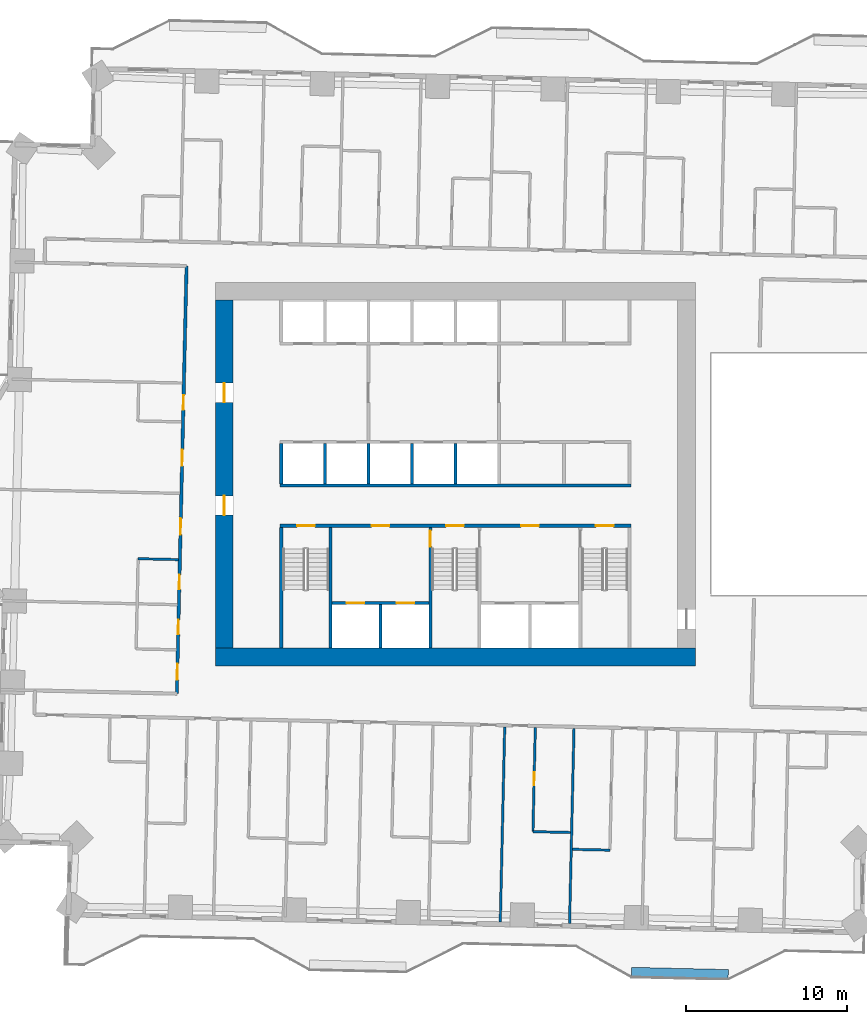
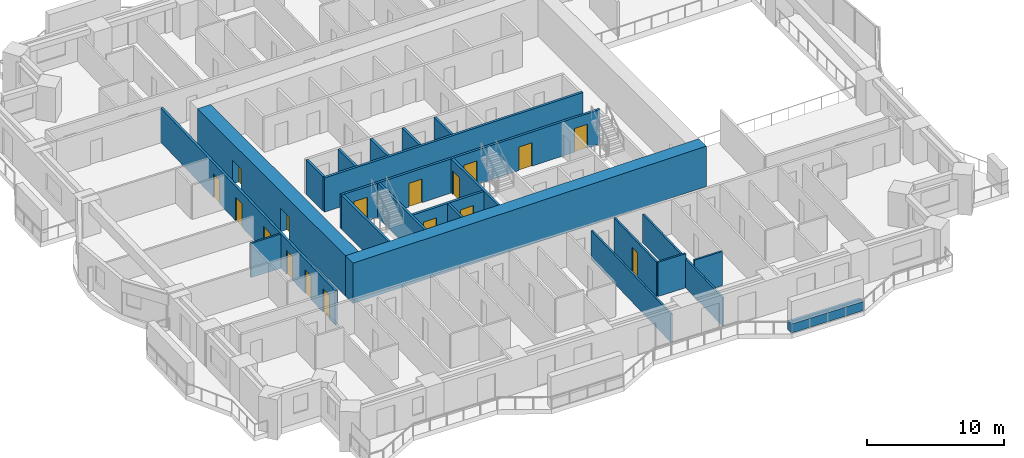
# One storey, part 8 of 18: 22 walls, 17 doors, 17 openings.
"""IFC4 building model written with IfcOpenShell, lengths in metres."""

from ifc_helpers import new_model, si_unit, direction, frame, frame_2d, origin, place, context, subcontext, project, spatial, rectangle, extrude, material, layer, layer_set, type_object, element, fill, save


model = new_model("IFC4")

# Units and contexts
model_context = context("Model", 3, precision=1e-05, world=origin(), true_north=direction((0.0, 1.0)))
body_context = subcontext(model_context, "Body", "Model", "MODEL_VIEW")
ifc_project = project(units=[si_unit("LENGTHUNIT", "METRE"), si_unit("AREAUNIT", "SQUARE_METRE"), si_unit("VOLUMEUNIT", "CUBIC_METRE"), si_unit("PLANEANGLEUNIT", "RADIAN"), si_unit("MASSUNIT", "GRAM", prefix="KILO")], contexts=[model_context])

# Site, building, storey
site_placement = place(None, origin())
site = spatial("IfcSite", under=ifc_project, at=site_placement, CompositionType="ELEMENT")
building_placement = place(site_placement, origin())
building = spatial("IfcBuilding", under=site, at=building_placement, Name="Mangrove Gate Tower", CompositionType="ELEMENT")
storey_placement = place(building_placement, frame((0.0, 0.0, 56.699951171875)))
storey = spatial("IfcBuildingStorey", under=building, at=storey_placement, Name="L13", CompositionType="ELEMENT", Elevation=56.699951171875)

# Wall
ifc_material_1 = material(Name="Concrete C70/85", Category="concrete")
ifc_layer_1 = layer(ifc_material_1, 0.199951171875)
ifc_layer_set_1 = layer_set([ifc_layer_1], Name="Core shaft wall 200 C70/85")
wall_type_1 = type_object("IfcWallType", Name="Core shaft wall 200 C70/85", PredefinedType="SHEAR", material=ifc_layer_set_1)
wall_1_placement = place(storey_placement, frame((-10.89990234375, -0.699951171875, 0.0), z_axis=(0.0, 0.0, 1.0), x_axis=(1.0, 0.0, 0.0)))
element("IfcWall", 1, at=wall_1_placement, inside=storey, type_object=wall_type_1, Name="WALL-L13-CORE-6", PredefinedType="SHEAR", context=body_context, shape_type="SweptSolid", body=[
    extrude(rectangle(XDim=21.7998046875, YDim=0.199951171875, at=frame_2d((10.89990234375, 0.0))), origin(), (0.0, 0.0, 1.0), 3.050048828125),
])

# Wall, openings, doors
wall_2_placement = place(storey_placement, frame((-7.64990234375, -8.0, 0.0), z_axis=(0.0, 0.0, 1.0), x_axis=(1.0, 0.0, 0.0)))
wall_2 = element("IfcWall", 2, at=wall_2_placement, inside=storey, type_object=wall_type_1, Name="WALL-L13-CORE-15", PredefinedType="SHEAR", context=body_context, shape_type="SweptSolid", body=[
    extrude(rectangle(XDim=6.0, YDim=0.199951171875, at=frame_2d((3.0, 0.0))), origin(), (0.0, 0.0, 1.0), 3.050048828125),
])
opening_1_placement = place(wall_2_placement, frame((0.89990234375, 0.0, 0.0)))
opening_1 = element("IfcOpeningElement", 3, at=opening_1_placement, cuts=wall_2, Name="Opening LD", PredefinedType="OPENING", context=body_context, shape_type="SweptSolid", body=[
    extrude(rectangle(XDim=1.10009765625, YDim=2.10009765625, at=frame_2d((0.550048828125, 1.050048828125))), frame((0.0, 0.10986328125, 0.0), z_axis=(0.0, -1.0, 0.0), x_axis=(1.0, 0.0, 0.0)), (0.0, 0.0, 1.0), 0.219970703125),
])
opening_2_placement = place(wall_2_placement, frame((4.0, 0.0, 0.0)))
opening_2 = element("IfcOpeningElement", 4, at=opening_2_placement, cuts=wall_2, Name="Opening LD", PredefinedType="OPENING", context=body_context, shape_type="SweptSolid", body=[
    extrude(rectangle(XDim=1.10009765625, YDim=2.10009765625, at=frame_2d((0.550048828125, 1.050048828125))), frame((0.0, 0.10986328125, 0.0), z_axis=(0.0, -1.0, 0.0), x_axis=(1.0, 0.0, 0.0)), (0.0, 0.0, 1.0), 0.219970703125),
])
ifc_material_2 = material(Name="Stainless steel 316", Category="steel")
door_type_1 = type_object("IfcDoorType", Name="Lift landing door 1100x2100", OperationType="SLIDING_TO_LEFT", PredefinedType="DOOR", material=ifc_material_2)
door_1_placement = place(opening_1_placement, origin())
door_1 = element("IfcDoor", 5, at=door_1_placement, inside=storey, type_object=door_type_1, Name="Landing door LD SVL1", OperationType="SLIDING_TO_LEFT", OverallHeight=2.10009765625, OverallWidth=1.10009765625, PredefinedType="DOOR", context=body_context, shape_type="SweptSolid", body=[
    extrude(rectangle(XDim=1.10009765625, YDim=2.10009765625, at=frame_2d((0.550048828125, 1.050048828125))), frame((0.0, 0.02490234375, 0.0), z_axis=(0.0, -1.0, 0.0), x_axis=(1.0, 0.0, 0.0)), (0.0, 0.0, 1.0), 0.050048828125),
])
fill(opening_1, door_1)
door_2_placement = place(opening_2_placement, origin())
door_2 = element("IfcDoor", 6, at=door_2_placement, inside=storey, type_object=door_type_1, Name="Landing door LD SVL2", OperationType="SLIDING_TO_LEFT", OverallHeight=2.10009765625, OverallWidth=1.10009765625, PredefinedType="DOOR", context=body_context, shape_type="SweptSolid", body=[
    extrude(rectangle(XDim=1.10009765625, YDim=2.10009765625, at=frame_2d((0.550048828125, 1.050048828125))), frame((0.0, 0.02490234375, 0.0), z_axis=(0.0, -1.0, 0.0), x_axis=(1.0, 0.0, 0.0)), (0.0, 0.0, 1.0), 0.050048828125),
])
fill(opening_2, door_2)

# Walls
wall_3_placement = place(storey_placement, frame((-4.64990234375, -10.800048828125, 0.0), z_axis=(0.0, 0.0, 1.0), x_axis=(0.0, 1.0, 0.0)))
element("IfcWall", 7, at=wall_3_placement, inside=storey, type_object=wall_type_1, Name="WALL-L13-CORE-16", PredefinedType="SHEAR", context=body_context, shape_type="SweptSolid", body=[
    extrude(rectangle(XDim=2.699951171875, YDim=0.199951171875, at=frame_2d((1.35009765625, 0.0))), origin(), (0.0, 0.0, 1.0), 3.050048828125),
])
for number, where, z_axis, x_axis, name in (
    (8, (-10.800048828125, -0.60009765625, 0.0), (0.0, 0.0, 1.0), (0.0, 1.0, 0.0), "WALL-L13-CORE-19"),
    (9, (-8.10009765625, -0.60009765625, 0.0), (0.0, 0.0, 1.0), (0.0, 1.0, 0.0), "WALL-L13-CORE-20"),
    (10, (-5.39990234375, -0.60009765625, 0.0), (0.0, 0.0, 1.0), (0.0, 1.0, 0.0), "WALL-L13-CORE-21"),
    (11, (-2.699951171875, -0.60009765625, 0.0), (0.0, 0.0, 1.0), (0.0, 1.0, 0.0), "WALL-L13-CORE-22"),
    (12, (0.0, -0.60009765625, 0.0), (0.0, 0.0, 1.0), (0.0, 1.0, 0.0), "WALL-L13-CORE-23"),
):
    element("IfcWall", number, at=place(storey_placement, frame(where, z_axis=z_axis, x_axis=x_axis)), inside=storey, type_object=wall_type_1, Name=name, PredefinedType="SHEAR", context=body_context, shape_type="SweptSolid", body=[
        extrude(rectangle(XDim=2.5, YDim=0.199951171875, at=frame_2d((1.25, 0.0))), origin(), (0.0, 0.0, 1.0), 3.050048828125),
    ])

# Wall, openings, doors
ifc_material_3 = material(Name="Concrete C70/85", Category="concrete")
ifc_layer_2 = layer(ifc_material_3, 0.199951171875)
ifc_layer_set_2 = layer_set([ifc_layer_2], Name="Core stair wall 200 C70/85")
wall_type_2 = type_object("IfcWallType", Name="Core stair wall 200 C70/85", PredefinedType="SHEAR", material=ifc_layer_set_2)
wall_4_placement = place(storey_placement, frame((-10.89990234375, -3.199951171875, 0.0), z_axis=(0.0, 0.0, 1.0), x_axis=(1.0, 0.0, 0.0)))
wall_4 = element("IfcWall", 13, at=wall_4_placement, inside=storey, type_object=wall_type_2, Name="WALL-L13-CORE-5", PredefinedType="SHEAR", context=body_context, shape_type="SweptSolid", body=[
    extrude(rectangle(XDim=21.7998046875, YDim=0.199951171875, at=frame_2d((10.89990234375, 0.0))), origin(), (0.0, 0.0, 1.0), 3.050048828125),
])
opening_3_placement = place(wall_4_placement, frame((1.074951171875, 0.0, 0.0)))
opening_3 = element("IfcOpeningElement", 14, at=opening_3_placement, cuts=wall_4, Name="Opening STD11", PredefinedType="OPENING", context=body_context, shape_type="SweptSolid", body=[
    extrude(rectangle(XDim=1.10009765625, YDim=2.10009765625, at=frame_2d((0.550048828125, 1.050048828125))), frame((0.0, 0.10986328125, 0.0), z_axis=(0.0, -1.0, 0.0), x_axis=(1.0, 0.0, 0.0)), (0.0, 0.0, 1.0), 0.219970703125),
])
opening_4_placement = place(wall_4_placement, frame((10.324951171875, 0.0, 0.0)))
opening_4 = element("IfcOpeningElement", 15, at=opening_4_placement, cuts=wall_4, Name="Opening STD11", PredefinedType="OPENING", context=body_context, shape_type="SweptSolid", body=[
    extrude(rectangle(XDim=1.10009765625, YDim=2.10009765625, at=frame_2d((0.550048828125, 1.050048828125))), frame((0.0, 0.10986328125, 0.0), z_axis=(0.0, -1.0, 0.0), x_axis=(1.0, 0.0, 0.0)), (0.0, 0.0, 1.0), 0.219970703125),
])
opening_5_placement = place(wall_4_placement, frame((19.625, 0.0, 0.0)))
opening_5 = element("IfcOpeningElement", 16, at=opening_5_placement, cuts=wall_4, Name="Opening STD11", PredefinedType="OPENING", context=body_context, shape_type="SweptSolid", body=[
    extrude(rectangle(XDim=1.10009765625, YDim=2.10009765625, at=frame_2d((0.550048828125, 1.050048828125))), frame((0.0, 0.10986328125, 0.0), z_axis=(0.0, -1.0, 0.0), x_axis=(1.0, 0.0, 0.0)), (0.0, 0.0, 1.0), 0.219970703125),
])
opening_6_placement = place(wall_4_placement, frame((5.699951171875, 0.0, 0.0)))
opening_6 = element("IfcOpeningElement", 17, at=opening_6_placement, cuts=wall_4, Name="Opening FL", PredefinedType="OPENING", context=body_context, shape_type="SweptSolid", body=[
    extrude(rectangle(XDim=1.10009765625, YDim=2.10009765625, at=frame_2d((0.550048828125, 1.050048828125))), frame((0.0, 0.10986328125, 0.0), z_axis=(0.0, -1.0, 0.0), x_axis=(1.0, 0.0, 0.0)), (0.0, 0.0, 1.0), 0.219970703125),
])
opening_7_placement = place(wall_4_placement, frame((14.97509765625, 0.0, 0.0)))
opening_7 = element("IfcOpeningElement", 18, at=opening_7_placement, cuts=wall_4, Name="Opening FL", PredefinedType="OPENING", context=body_context, shape_type="SweptSolid", body=[
    extrude(rectangle(XDim=1.10009765625, YDim=2.10009765625, at=frame_2d((0.550048828125, 1.050048828125))), frame((0.0, 0.10986328125, 0.0), z_axis=(0.0, -1.0, 0.0), x_axis=(1.0, 0.0, 0.0)), (0.0, 0.0, 1.0), 0.219970703125),
])
ifc_material_4 = material(Name="Fire-rated steel door set", Category="steel")
door_type_2 = type_object("IfcDoorType", Name="Lobby door FD60 1100x2100", OperationType="SINGLE_SWING_LEFT", PredefinedType="DOOR", material=ifc_material_4)
door_3_placement = place(opening_6_placement, origin())
door_3 = element("IfcDoor", 19, at=door_3_placement, inside=storey, type_object=door_type_2, Name="Lobby door service lobby", OperationType="SINGLE_SWING_LEFT", OverallHeight=2.10009765625, OverallWidth=1.10009765625, PredefinedType="DOOR", context=body_context, shape_type="SweptSolid", body=[
    extrude(rectangle(XDim=1.10009765625, YDim=2.10009765625, at=frame_2d((0.550048828125, 1.050048828125))), frame((0.0, 0.02490234375, 0.0), z_axis=(0.0, -1.0, 0.0), x_axis=(1.0, 0.0, 0.0)), (0.0, 0.0, 1.0), 0.050048828125),
])
fill(opening_6, door_3)
door_4_placement = place(opening_7_placement, origin())
door_4 = element("IfcDoor", 20, at=door_4_placement, inside=storey, type_object=door_type_2, Name="Lobby door fire-fighting lobby", OperationType="SINGLE_SWING_LEFT", OverallHeight=2.10009765625, OverallWidth=1.10009765625, PredefinedType="DOOR", context=body_context, shape_type="SweptSolid", body=[
    extrude(rectangle(XDim=1.10009765625, YDim=2.10009765625, at=frame_2d((0.550048828125, 1.050048828125))), frame((0.0, 0.02490234375, 0.0), z_axis=(0.0, -1.0, 0.0), x_axis=(1.0, 0.0, 0.0)), (0.0, 0.0, 1.0), 0.050048828125),
])
fill(opening_7, door_4)
ifc_material_5 = material(Name="Fire-rated steel door set", Category="steel")
door_type_3 = type_object("IfcDoorType", Name="Stair door FD60 1100x2100", OperationType="SINGLE_SWING_RIGHT", PredefinedType="DOOR", material=ifc_material_5)
door_5_placement = place(opening_3_placement, origin())
door_5 = element("IfcDoor", 21, at=door_5_placement, inside=storey, type_object=door_type_3, Name="Stair door Stair 1", OperationType="SINGLE_SWING_RIGHT", OverallHeight=2.10009765625, OverallWidth=1.10009765625, PredefinedType="DOOR", context=body_context, shape_type="SweptSolid", body=[
    extrude(rectangle(XDim=1.10009765625, YDim=2.10009765625, at=frame_2d((0.550048828125, 1.050048828125))), frame((0.0, 0.02490234375, 0.0), z_axis=(0.0, -1.0, 0.0), x_axis=(1.0, 0.0, 0.0)), (0.0, 0.0, 1.0), 0.050048828125),
])
fill(opening_3, door_5)
door_6_placement = place(opening_4_placement, origin())
door_6 = element("IfcDoor", 22, at=door_6_placement, inside=storey, type_object=door_type_3, Name="Stair door Stair 2", OperationType="SINGLE_SWING_RIGHT", OverallHeight=2.10009765625, OverallWidth=1.10009765625, PredefinedType="DOOR", context=body_context, shape_type="SweptSolid", body=[
    extrude(rectangle(XDim=1.10009765625, YDim=2.10009765625, at=frame_2d((0.550048828125, 1.050048828125))), frame((0.0, 0.02490234375, 0.0), z_axis=(0.0, -1.0, 0.0), x_axis=(1.0, 0.0, 0.0)), (0.0, 0.0, 1.0), 0.050048828125),
])
fill(opening_4, door_6)
door_7_placement = place(opening_5_placement, origin())
door_7 = element("IfcDoor", 23, at=door_7_placement, inside=storey, type_object=door_type_3, Name="Stair door Stair 3", OperationType="SINGLE_SWING_RIGHT", OverallHeight=2.10009765625, OverallWidth=1.10009765625, PredefinedType="DOOR", context=body_context, shape_type="SweptSolid", body=[
    extrude(rectangle(XDim=1.10009765625, YDim=2.10009765625, at=frame_2d((0.550048828125, 1.050048828125))), frame((0.0, 0.02490234375, 0.0), z_axis=(0.0, -1.0, 0.0), x_axis=(1.0, 0.0, 0.0)), (0.0, 0.0, 1.0), 0.050048828125),
])
fill(opening_5, door_7)

# Walls
for number, where, z_axis, x_axis, name in (
    (24, (-10.800048828125, -10.800048828125, 0.0), (0.0, 0.0, 1.0), (0.0, 1.0, 0.0), "WALL-L13-CORE-9"),
    (25, (-7.75, -10.800048828125, 0.0), (0.0, 0.0, 1.0), (0.0, 1.0, 0.0), "WALL-L13-CORE-10"),
):
    element("IfcWall", number, at=place(storey_placement, frame(where, z_axis=z_axis, x_axis=x_axis)), inside=storey, type_object=wall_type_2, Name=name, PredefinedType="SHEAR", context=body_context, shape_type="SweptSolid", body=[
        extrude(rectangle(XDim=7.5, YDim=0.199951171875, at=frame_2d((3.75, 0.0))), origin(), (0.0, 0.0, 1.0), 3.050048828125),
    ])

# Wall, opening, door
wall_5_placement = place(storey_placement, frame((-1.550048828125, -10.800048828125, 0.0), z_axis=(0.0, 0.0, 1.0), x_axis=(0.0, 1.0, 0.0)))
wall_5 = element("IfcWall", 26, at=wall_5_placement, inside=storey, type_object=wall_type_2, Name="WALL-L13-CORE-11", PredefinedType="SHEAR", context=body_context, shape_type="SweptSolid", body=[
    extrude(rectangle(XDim=7.5, YDim=0.199951171875, at=frame_2d((3.75, 0.0))), origin(), (0.0, 0.0, 1.0), 3.050048828125),
])
opening_8_placement = place(wall_5_placement, frame((6.300048828125, 0.0, 0.0)))
opening_8 = element("IfcOpeningElement", 27, at=opening_8_placement, cuts=wall_5, Name="Opening STD10", PredefinedType="OPENING", context=body_context, shape_type="SweptSolid", body=[
    extrude(rectangle(XDim=1.0, YDim=2.10009765625, at=frame_2d((0.5, 1.050048828125))), frame((0.0, 0.10986328125, 0.0), z_axis=(0.0, -1.0, 0.0), x_axis=(1.0, 0.0, 0.0)), (0.0, 0.0, 1.0), 0.219970703125),
])
ifc_material_6 = material(Name="Fire-rated steel door set", Category="steel")
door_type_4 = type_object("IfcDoorType", Name="Stair door FD60 1000x2100", OperationType="SINGLE_SWING_RIGHT", PredefinedType="DOOR", material=ifc_material_6)
door_8_placement = place(opening_8_placement, origin())
door_8 = element("IfcDoor", 28, at=door_8_placement, inside=storey, type_object=door_type_4, Name="Stair door Stair 2 from service lobby", OperationType="SINGLE_SWING_RIGHT", OverallHeight=2.10009765625, OverallWidth=1.0, PredefinedType="DOOR", context=body_context, shape_type="SweptSolid", body=[
    extrude(rectangle(XDim=1.0, YDim=2.10009765625, at=frame_2d((0.5, 1.050048828125))), frame((0.0, 0.02490234375, 0.0), z_axis=(0.0, -1.0, 0.0), x_axis=(1.0, 0.0, 0.0)), (0.0, 0.0, 1.0), 0.050048828125),
])
fill(opening_8, door_8)

# Wall
ifc_material_7 = material(Name="Concrete C70/85", Category="concrete")
ifc_layer_3 = layer(ifc_material_7, 1.10009765625)
ifc_layer_set_3 = layer_set([ifc_layer_3], Name="Core wall 1100 C70/85")
wall_type_3 = type_object("IfcWallType", Name="Core wall 1100 C70/85", PredefinedType="SHEAR", material=ifc_layer_set_3)
wall_6_placement = place(storey_placement, frame((-14.89990234375, -11.35009765625, 0.0), z_axis=(0.0, 0.0, 1.0), x_axis=(1.0, 0.0, 0.0)))
element("IfcWall", 29, at=wall_6_placement, inside=storey, type_object=wall_type_3, Name="WALL-L13-CORE-1", PredefinedType="SHEAR", context=body_context, shape_type="SweptSolid", body=[
    extrude(rectangle(XDim=29.7998046875, YDim=1.10009765625, at=frame_2d((14.89990234375, 0.0))), origin(), (0.0, 0.0, 1.0), 3.60009765625),
])

# Wall, openings, doors
wall_7_placement = place(storey_placement, frame((-14.35009765625, -10.800048828125, 0.0), z_axis=(0.0, 0.0, 1.0), x_axis=(0.0, 1.0, 0.0)))
wall_7 = element("IfcWall", 30, at=wall_7_placement, inside=storey, type_object=wall_type_3, Name="WALL-L13-CORE-3", PredefinedType="SHEAR", context=body_context, shape_type="SweptSolid", body=[
    extrude(rectangle(XDim=21.60009765625, YDim=1.10009765625, at=frame_2d((10.800048828125, 0.0))), origin(), (0.0, 0.0, 1.0), 3.60009765625),
])
opening_9_placement = place(wall_7_placement, frame((8.25, 0.0, 0.0)))
opening_9 = element("IfcOpeningElement", 31, at=opening_9_placement, cuts=wall_7, Name="Opening CD", PredefinedType="OPENING", context=body_context, shape_type="SweptSolid", body=[
    extrude(rectangle(XDim=1.199951171875, YDim=2.10009765625, at=frame_2d((0.60009765625, 1.050048828125))), frame((0.0, 0.56005859375, 0.0), z_axis=(0.0, -1.0, 0.0), x_axis=(1.0, 0.0, 0.0)), (0.0, 0.0, 1.0), 1.1201171875),
])
opening_10_placement = place(wall_7_placement, frame((15.25, 0.0, 0.0)))
opening_10 = element("IfcOpeningElement", 32, at=opening_10_placement, cuts=wall_7, Name="Opening CD", PredefinedType="OPENING", context=body_context, shape_type="SweptSolid", body=[
    extrude(rectangle(XDim=1.199951171875, YDim=2.10009765625, at=frame_2d((0.60009765625, 1.050048828125))), frame((0.0, 0.56005859375, 0.0), z_axis=(0.0, -1.0, 0.0), x_axis=(1.0, 0.0, 0.0)), (0.0, 0.0, 1.0), 1.1201171875),
])
ifc_material_8 = material(Name="Fire-rated steel door set", Category="steel")
door_type_5 = type_object("IfcDoorType", Name="Core ring door FD60 1200x2100", OperationType="DOUBLE_DOOR_SINGLE_SWING", PredefinedType="DOOR", material=ifc_material_8)
door_9_placement = place(opening_9_placement, origin())
door_9 = element("IfcDoor", 33, at=door_9_placement, inside=storey, type_object=door_type_5, Name="Core ring door W1", OperationType="DOUBLE_DOOR_SINGLE_SWING", OverallHeight=2.10009765625, OverallWidth=1.199951171875, PredefinedType="DOOR", context=body_context, shape_type="SweptSolid", body=[
    extrude(rectangle(XDim=1.199951171875, YDim=2.10009765625, at=frame_2d((0.60009765625, 1.050048828125))), frame((0.0, 0.02490234375, 0.0), z_axis=(0.0, -1.0, 0.0), x_axis=(1.0, 0.0, 0.0)), (0.0, 0.0, 1.0), 0.050048828125),
])
fill(opening_9, door_9)
door_10_placement = place(opening_10_placement, origin())
door_10 = element("IfcDoor", 34, at=door_10_placement, inside=storey, type_object=door_type_5, Name="Core ring door W2", OperationType="DOUBLE_DOOR_SINGLE_SWING", OverallHeight=2.10009765625, OverallWidth=1.199951171875, PredefinedType="DOOR", context=body_context, shape_type="SweptSolid", body=[
    extrude(rectangle(XDim=1.199951171875, YDim=2.10009765625, at=frame_2d((0.60009765625, 1.050048828125))), frame((0.0, 0.02490234375, 0.0), z_axis=(0.0, -1.0, 0.0), x_axis=(1.0, 0.0, 0.0)), (0.0, 0.0, 1.0), 0.050048828125),
])
fill(opening_10, door_10)

ifc_material_9 = material(Name="Gypsum board on steel stud, EI 60", Category="steel")
ifc_layer_4 = layer(ifc_material_9, 0.199951171875)
ifc_layer_set_4 = layer_set([ifc_layer_4], Name="Corridor wall EI 60")
wall_type_4 = type_object("IfcWallType", Name="Corridor wall EI 60", PredefinedType="PARTITIONING", material=ifc_layer_set_4)
wall_8_placement = place(storey_placement, frame((-17.287109375, -13.625, 0.0), z_axis=(0.0, 0.0, 1.0), x_axis=(0.022712214871, 0.999742044377, 0.0)))
wall_8 = element("IfcWall", 35, at=wall_8_placement, inside=storey, type_object=wall_type_4, Name="WALL-L13-038", PredefinedType="PARTITIONING", context=body_context, shape_type="SweptSolid", body=[
    extrude(rectangle(XDim=26.55078125, YDim=0.199951171875, at=frame_2d((13.275390625, 0.0))), origin(), (0.0, 0.0, 1.0), 3.050048828125),
])
opening_11_placement = place(wall_8_placement, frame((14.14990234375, 0.0, 0.0)))
opening_11 = element("IfcOpeningElement", 36, at=opening_11_placement, cuts=wall_8, Name="Opening AD", PredefinedType="OPENING", context=body_context, shape_type="SweptSolid", body=[
    extrude(rectangle(XDim=1.0, YDim=2.10009765625, at=frame_2d((0.5, 1.050048828125))), frame((0.0, 0.10986328125, 0.0), z_axis=(0.0, -1.0, 0.0), x_axis=(1.0, 0.0, 0.0)), (0.0, 0.0, 1.0), 0.219970703125),
])
opening_12_placement = place(wall_8_placement, frame((17.625, 0.0, 0.0)))
opening_12 = element("IfcOpeningElement", 37, at=opening_12_placement, cuts=wall_8, Name="Opening SD", PredefinedType="OPENING", context=body_context, shape_type="SweptSolid", body=[
    extrude(rectangle(XDim=0.89990234375, YDim=2.10009765625, at=frame_2d((0.449951171875, 1.050048828125))), frame((0.0, 0.10986328125, 0.0), z_axis=(0.0, -1.0, 0.0), x_axis=(1.0, 0.0, 0.0)), (0.0, 0.0, 1.0), 0.219970703125),
])
opening_13_placement = place(wall_8_placement, frame((9.875, 0.0, 0.0)))
opening_13 = element("IfcOpeningElement", 38, at=opening_13_placement, cuts=wall_8, Name="Opening AD", PredefinedType="OPENING", context=body_context, shape_type="SweptSolid", body=[
    extrude(rectangle(XDim=1.0, YDim=2.10009765625, at=frame_2d((0.5, 1.050048828125))), frame((0.0, 0.10986328125, 0.0), z_axis=(0.0, -1.0, 0.0), x_axis=(1.0, 0.0, 0.0)), (0.0, 0.0, 1.0), 0.219970703125),
])
opening_14_placement = place(wall_8_placement, frame((6.47509765625, 0.0, 0.0)))
opening_14 = element("IfcOpeningElement", 39, at=opening_14_placement, cuts=wall_8, Name="Opening SD", PredefinedType="OPENING", context=body_context, shape_type="SweptSolid", body=[
    extrude(rectangle(XDim=0.89990234375, YDim=2.10009765625, at=frame_2d((0.449951171875, 1.050048828125))), frame((0.0, 0.10986328125, 0.0), z_axis=(0.0, -1.0, 0.0), x_axis=(1.0, 0.0, 0.0)), (0.0, 0.0, 1.0), 0.219970703125),
])
opening_15_placement = place(wall_8_placement, frame((0.862060546875, 0.0, 0.0)))
opening_15 = element("IfcOpeningElement", 40, at=opening_15_placement, cuts=wall_8, Name="Opening AD", PredefinedType="OPENING", context=body_context, shape_type="SweptSolid", body=[
    extrude(rectangle(XDim=1.0, YDim=2.10009765625, at=frame_2d((0.5, 1.050048828125))), frame((0.0, 0.10986328125, 0.0), z_axis=(0.0, -1.0, 0.0), x_axis=(1.0, 0.0, 0.0)), (0.0, 0.0, 1.0), 0.219970703125),
])
opening_16_placement = place(wall_8_placement, frame((3.675048828125, 0.0, 0.0)))
opening_16 = element("IfcOpeningElement", 41, at=opening_16_placement, cuts=wall_8, Name="Opening SD", PredefinedType="OPENING", context=body_context, shape_type="SweptSolid", body=[
    extrude(rectangle(XDim=0.89990234375, YDim=2.10009765625, at=frame_2d((0.449951171875, 1.050048828125))), frame((0.0, 0.10986328125, 0.0), z_axis=(0.0, -1.0, 0.0), x_axis=(1.0, 0.0, 0.0)), (0.0, 0.0, 1.0), 0.219970703125),
])
ifc_material_10 = material(Name="Timber door leaf", Category="wood")
door_type_6 = type_object("IfcDoorType", Name="Amenity door 1000", OperationType="SINGLE_SWING_LEFT", PredefinedType="DOOR", material=ifc_material_10)
door_11_placement = place(opening_11_placement, origin())
door_11 = element("IfcDoor", 42, at=door_11_placement, inside=storey, type_object=door_type_6, Name="DOOR-L13-GAM-c5a", OperationType="SINGLE_SWING_RIGHT", OverallHeight=2.10009765625, OverallWidth=1.0, PredefinedType="DOOR", context=body_context, shape_type="SweptSolid", body=[
    extrude(rectangle(XDim=1.0, YDim=2.10009765625, at=frame_2d((0.5, 1.050048828125))), frame((0.0, 0.02490234375, 0.0), z_axis=(0.0, -1.0, 0.0), x_axis=(1.0, 0.0, 0.0)), (0.0, 0.0, 1.0), 0.050048828125),
])
fill(opening_11, door_11)
door_12_placement = place(opening_13_placement, origin())
door_12 = element("IfcDoor", 43, at=door_12_placement, inside=storey, type_object=door_type_6, Name="DOOR-L13-LNG-c5b", OperationType="SINGLE_SWING_LEFT", OverallHeight=2.10009765625, OverallWidth=1.0, PredefinedType="DOOR", context=body_context, shape_type="SweptSolid", body=[
    extrude(rectangle(XDim=1.0, YDim=2.10009765625, at=frame_2d((0.5, 1.050048828125))), frame((0.0, 0.02490234375, 0.0), z_axis=(0.0, -1.0, 0.0), x_axis=(1.0, 0.0, 0.0)), (0.0, 0.0, 1.0), 0.050048828125),
])
fill(opening_13, door_12)
door_13_placement = place(opening_15_placement, origin())
door_13 = element("IfcDoor", 44, at=door_13_placement, inside=storey, type_object=door_type_6, Name="DOOR-L13-GAM-c5b", OperationType="SINGLE_SWING_RIGHT", OverallHeight=2.10009765625, OverallWidth=1.0, PredefinedType="DOOR", context=body_context, shape_type="SweptSolid", body=[
    extrude(rectangle(XDim=1.0, YDim=2.10009765625, at=frame_2d((0.5, 1.050048828125))), frame((0.0, 0.02490234375, 0.0), z_axis=(0.0, -1.0, 0.0), x_axis=(1.0, 0.0, 0.0)), (0.0, 0.0, 1.0), 0.050048828125),
])
fill(opening_15, door_13)
ifc_material_11 = material(Name="Timber door leaf", Category="wood")
door_type_7 = type_object("IfcDoorType", Name="Service room door 900", OperationType="SINGLE_SWING_LEFT", PredefinedType="DOOR", material=ifc_material_11)
door_14_placement = place(opening_12_placement, origin())
door_14 = element("IfcDoor", 45, at=door_14_placement, inside=storey, type_object=door_type_7, Name="DOOR-L13-WC-c5b", OperationType="SINGLE_SWING_LEFT", OverallHeight=2.10009765625, OverallWidth=0.89990234375, PredefinedType="DOOR", context=body_context, shape_type="SweptSolid", body=[
    extrude(rectangle(XDim=0.89990234375, YDim=2.10009765625, at=frame_2d((0.449951171875, 1.050048828125))), frame((0.0, 0.02490234375, 0.0), z_axis=(0.0, -1.0, 0.0), x_axis=(1.0, 0.0, 0.0)), (0.0, 0.0, 1.0), 0.050048828125),
])
fill(opening_12, door_14)
door_15_placement = place(opening_14_placement, origin())
door_15 = element("IfcDoor", 46, at=door_15_placement, inside=storey, type_object=door_type_7, Name="DOOR-L13-LDY-c5a", OperationType="SINGLE_SWING_RIGHT", OverallHeight=2.10009765625, OverallWidth=0.89990234375, PredefinedType="DOOR", context=body_context, shape_type="SweptSolid", body=[
    extrude(rectangle(XDim=0.89990234375, YDim=2.10009765625, at=frame_2d((0.449951171875, 1.050048828125))), frame((0.0, 0.02490234375, 0.0), z_axis=(0.0, -1.0, 0.0), x_axis=(1.0, 0.0, 0.0)), (0.0, 0.0, 1.0), 0.050048828125),
])
fill(opening_14, door_15)
door_16_placement = place(opening_16_placement, origin())
door_16 = element("IfcDoor", 47, at=door_16_placement, inside=storey, type_object=door_type_7, Name="DOOR-L13-LDY-c5b", OperationType="SINGLE_SWING_LEFT", OverallHeight=2.10009765625, OverallWidth=0.89990234375, PredefinedType="DOOR", context=body_context, shape_type="SweptSolid", body=[
    extrude(rectangle(XDim=0.89990234375, YDim=2.10009765625, at=frame_2d((0.449951171875, 1.050048828125))), frame((0.0, 0.02490234375, 0.0), z_axis=(0.0, -1.0, 0.0), x_axis=(1.0, 0.0, 0.0)), (0.0, 0.0, 1.0), 0.050048828125),
])
fill(opening_16, door_16)

# Walls
ifc_material_12 = material(Name="Gypsum board on steel stud, EI 60", Category="steel")
ifc_layer_5 = layer(ifc_material_12, 0.14990234375)
ifc_layer_set_5 = layer_set([ifc_layer_5], Name="Party wall 150 EI 60")
wall_type_5 = type_object("IfcWallType", Name="Party wall 150 EI 60", PredefinedType="PARTITIONING", material=ifc_layer_set_5)
wall_9_placement = place(storey_placement, frame((2.787109375, -27.783935546875, 0.0), z_axis=(0.0, 0.0, 1.0), x_axis=(0.022719113715, 0.999741887625, 0.0)))
element("IfcWall", 48, at=wall_9_placement, inside=storey, type_object=wall_type_5, Name="WALL-L13-006", PredefinedType="PARTITIONING", context=body_context, shape_type="SweptSolid", body=[
    extrude(rectangle(XDim=12.10009765625, YDim=0.14990234375, at=frame_2d((6.050048828125, 0.0))), origin(), (0.0, 0.0, 1.0), 2.550048828125),
])
wall_10_placement = place(storey_placement, frame((7.0859375, -27.882080078125, 0.0), z_axis=(0.0, 0.0, 1.0), x_axis=(0.022736986912, 0.999741481297, 0.0)))
element("IfcWall", 49, at=wall_10_placement, inside=storey, type_object=wall_type_5, Name="WALL-L13-007", PredefinedType="PARTITIONING", context=body_context, shape_type="SweptSolid", body=[
    extrude(rectangle(XDim=12.101318359375, YDim=0.14990234375, at=frame_2d((6.05078125, 0.0))), origin(), (0.0, 0.0, 1.0), 2.550048828125),
])
wall_11_placement = place(storey_placement, frame((7.26806640625, -23.283935546875, 0.0), z_axis=(0.0, 0.0, 1.0), x_axis=(0.999740260747, -0.02279059109, 0.0)))
element("IfcWall", 50, at=wall_11_placement, inside=storey, type_object=wall_type_5, Name="WALL-L13-013", PredefinedType="PARTITIONING", context=body_context, shape_type="SweptSolid", body=[
    extrude(rectangle(XDim=2.324462890625, YDim=0.14990234375, at=frame_2d((1.162109375, 0.0))), origin(), (0.0, 0.0, 1.0), 3.050048828125),
])

# Wall, opening, door
wall_12_placement = place(storey_placement, frame((4.81494140625, -22.18798828125, 0.0), z_axis=(0.0, 0.0, 1.0), x_axis=(0.022601211511, 0.999744559994, 0.0)))
wall_12 = element("IfcWall", 51, at=wall_12_placement, inside=storey, type_object=wall_type_5, Name="WALL-L13-027", PredefinedType="PARTITIONING", context=body_context, shape_type="SweptSolid", body=[
    extrude(rectangle(XDim=6.459716796875, YDim=0.14990234375, at=frame_2d((3.22998046875, 0.0))), origin(), (0.0, 0.0, 1.0), 3.050048828125),
])
opening_17_placement = place(wall_12_placement, frame((2.8798828125, 0.0, 0.0)))
opening_17 = element("IfcOpeningElement", 52, at=opening_17_placement, cuts=wall_12, Name="Opening ED", PredefinedType="OPENING", context=body_context, shape_type="SweptSolid", body=[
    extrude(rectangle(XDim=0.800048828125, YDim=2.10009765625, at=frame_2d((0.39990234375, 1.050048828125))), frame((0.0, 0.0849609375, 0.0), z_axis=(0.0, -1.0, 0.0), x_axis=(1.0, 0.0, 0.0)), (0.0, 0.0, 1.0), 0.169921875),
])
ifc_material_13 = material(Name="Timber door leaf", Category="wood")
door_type_8 = type_object("IfcDoorType", Name="En-suite door 800", OperationType="SINGLE_SWING_LEFT", PredefinedType="DOOR", material=ifc_material_13)
door_17_placement = place(opening_17_placement, origin())
door_17 = element("IfcDoor", 53, at=door_17_placement, inside=storey, type_object=door_type_8, Name="DOOR-L13-ENS-c206", OperationType="SINGLE_SWING_RIGHT", OverallHeight=2.10009765625, OverallWidth=0.800048828125, PredefinedType="DOOR", context=body_context, shape_type="SweptSolid", body=[
    extrude(rectangle(XDim=0.800048828125, YDim=2.10009765625, at=frame_2d((0.39990234375, 1.050048828125))), frame((0.0, 0.02490234375, 0.0), z_axis=(0.0, -1.0, 0.0), x_axis=(1.0, 0.0, 0.0)), (0.0, 0.0, 1.0), 0.050048828125),
])
fill(opening_17, door_17)

# Walls
wall_13_placement = place(storey_placement, frame((4.81689453125, -22.18798828125, 0.0), z_axis=(0.0, 0.0, 1.0), x_axis=(0.99974031529, -0.022788198363, 0.0)))
element("IfcWall", 54, at=wall_13_placement, inside=storey, type_object=wall_type_5, Name="WALL-L13-028", PredefinedType="PARTITIONING", context=body_context, shape_type="SweptSolid", body=[
    extrude(rectangle(XDim=2.32470703125, YDim=0.14990234375, at=frame_2d((1.162353515625, 0.0))), origin(), (0.0, 0.0, 1.0), 3.050048828125),
])
wall_14_placement = place(storey_placement, frame((-19.69189453125, -5.248046875, 0.0), z_axis=(0.0, 0.0, 1.0), x_axis=(0.999740977561, -0.022759125332, 0.0)))
element("IfcWall", 55, at=wall_14_placement, inside=storey, type_object=wall_type_5, Name="WALL-L13-045", PredefinedType="PARTITIONING", context=body_context, shape_type="SweptSolid", body=[
    extrude(rectangle(XDim=2.49951171875, YDim=0.14990234375, at=frame_2d((1.249755859375, 0.0))), origin(), (0.0, 0.0, 1.0), 3.050048828125),
])
ifc_material_14 = material(Name="Concrete C32/40", Category="concrete")
ifc_layer_6 = layer(ifc_material_14, 0.199951171875, Name="Planter trough wall")
ifc_material_15 = material(Name="Bituminous waterproofing membrane")
ifc_layer_7 = layer(ifc_material_15, 0.0048828125, Name="Waterproofing")
ifc_material_16 = material(Name="Drainage board and gravel")
ifc_layer_8 = layer(ifc_material_16, 0.044921875, Name="Drainage layer")
ifc_material_17 = material(Name="Planting soil")
ifc_layer_9 = layer(ifc_material_17, 0.300048828125, Name="Growing medium")
ifc_layer_set_6 = layer_set([ifc_layer_6, ifc_layer_7, ifc_layer_8, ifc_layer_9], Name="Planter wall 550 C32/40")
wall_type_6 = type_object("IfcWallType", Name="Planter wall 550 C32/40", PredefinedType="USERDEFINED", material=ifc_layer_set_6)
wall_15_placement = place(storey_placement, frame((10.93896484375, -30.884033203125, 0.0), z_axis=(0.0, 0.0, 1.0), x_axis=(0.999739392852, -0.022828630714, 0.0)))
element("IfcWall", 56, at=wall_15_placement, inside=storey, type_object=wall_type_6, Name="PLANTER L13 S1.1", ObjectType="PLANTER", PredefinedType="USERDEFINED", context=body_context, shape_type="SweptSolid", body=[
    extrude(rectangle(XDim=5.99951171875, YDim=0.550048828125, at=frame_2d((2.999755859375, 0.0))), origin(), (0.0, 0.0, 1.0), 0.800048828125),
])

save(model, "model.ifc")
